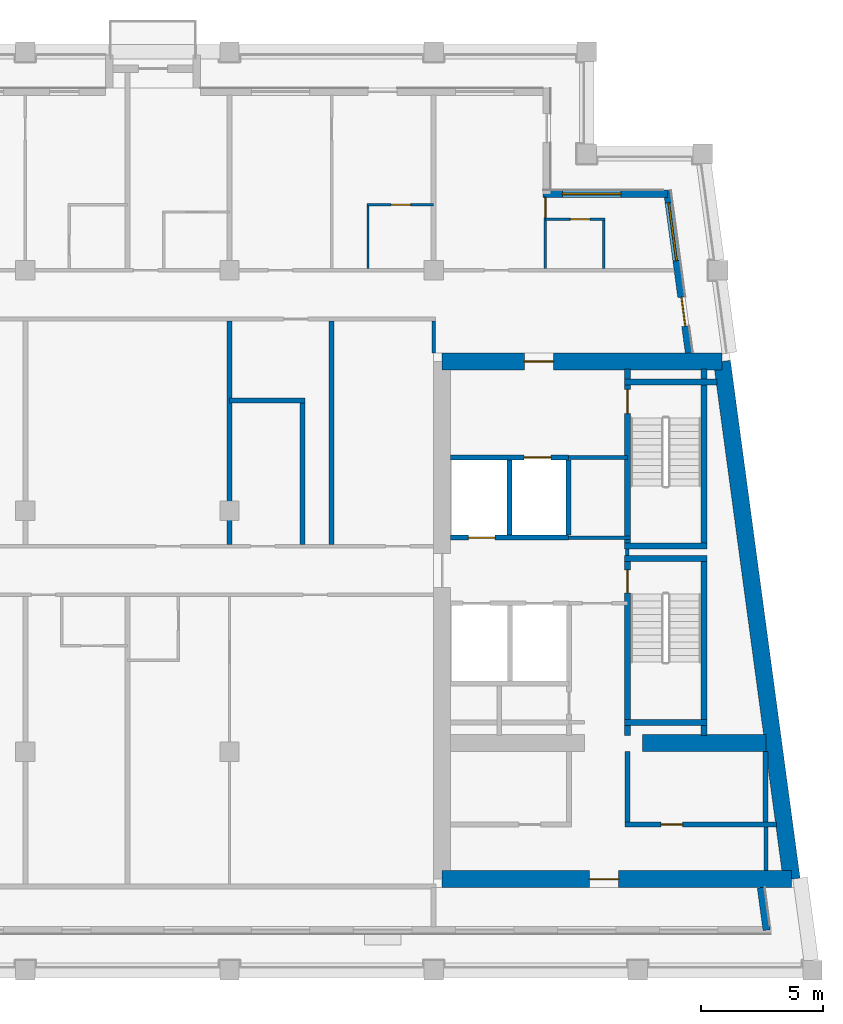
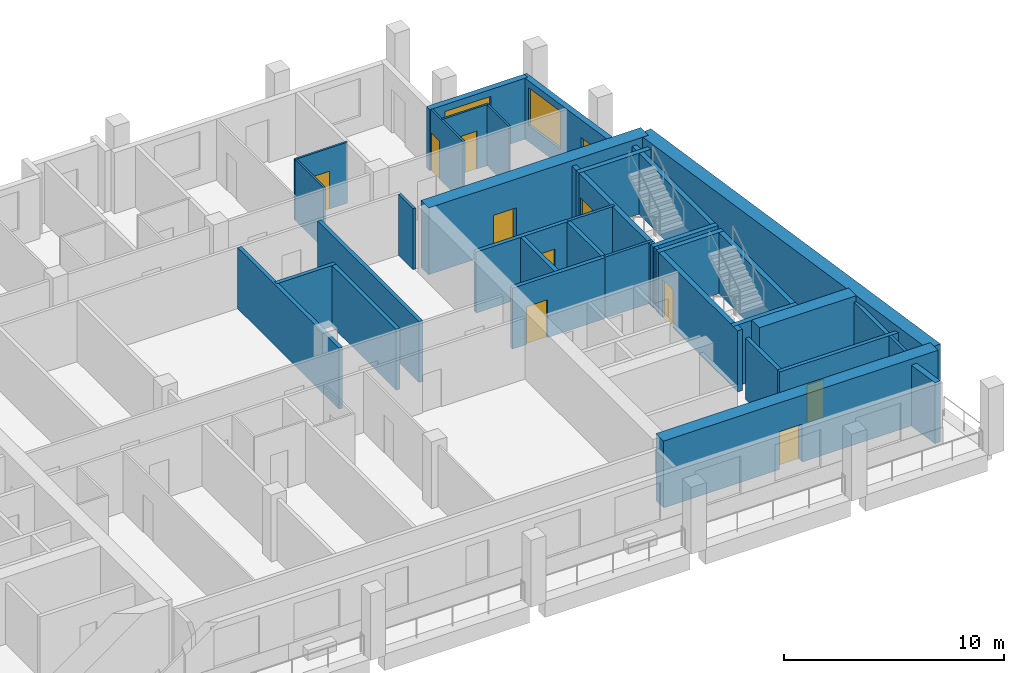
# One storey, part 5 of 13: 36 walls, 11 doors, 2 windows, 13 openings.
"""IFC4 building model written with IfcOpenShell, lengths in metres."""

from ifc_helpers import new_model, si_unit, direction, frame, frame_2d, origin, place, context, subcontext, project, spatial, rectangle, extrude, material, layer, layer_set, type_object, element, fill, save


model = new_model("IFC4")

# Units and contexts
model_context = context("Model", 3, precision=1e-05, world=origin(), true_north=direction((0.0, 1.0)))
body_context = subcontext(model_context, "Body", "Model", "MODEL_VIEW")
ifc_project = project(units=[si_unit("LENGTHUNIT", "METRE"), si_unit("AREAUNIT", "SQUARE_METRE"), si_unit("VOLUMEUNIT", "CUBIC_METRE"), si_unit("PLANEANGLEUNIT", "RADIAN"), si_unit("MASSUNIT", "GRAM", prefix="KILO")], contexts=[model_context])

# Site, building, storey
site_placement = place(None, origin())
site = spatial("IfcSite", under=ifc_project, at=site_placement, CompositionType="ELEMENT")
building_placement = place(site_placement, origin())
building = spatial("IfcBuilding", under=site, at=building_placement, Name="Candeia Pilgrim Tower and Theatre", CompositionType="ELEMENT")
storey_placement = place(building_placement, frame((0.0, 0.0, 262.699951171875)))
storey = spatial("IfcBuildingStorey", under=building, at=storey_placement, Name="L63", CompositionType="ELEMENT", Elevation=262.699951171875)

# Wall, opening, door
ifc_material_1 = material(Name="Concrete C40/50", Category="concrete")
ifc_layer_1 = layer(ifc_material_1, 0.699951171875)
ifc_layer_set_1 = layer_set([ifc_layer_1], Name="Core wall 700 C40/50")
wall_type_1 = type_object("IfcWallType", Name="Core wall 700 C40/50", PredefinedType="SHEAR", material=ifc_layer_set_1)
wall_1_placement = place(storey_placement, frame((126.35009765625, 132.050048828125, 0.0), z_axis=(0.0, 0.0, 1.0), x_axis=(1.0, 0.0, 0.0)))
wall_1 = element("IfcWall", 1, at=wall_1_placement, inside=storey, type_object=wall_type_1, Name="Core wall E1", PredefinedType="SHEAR", context=body_context, shape_type="SweptSolid", body=[
    extrude(rectangle(XDim=11.51318359375, YDim=0.699951171875, at=frame_2d((5.756591796875, 0.0))), origin(), (0.0, 0.0, 1.0), 3.699951171875),
])
opening_1_placement = place(wall_1_placement, frame((3.386474609375, 0.0, 0.0)))
opening_1 = element("IfcOpeningElement", 2, at=opening_1_placement, cuts=wall_1, Name="Opening L63-D045", PredefinedType="OPENING", context=body_context, shape_type="SweptSolid", body=[
    extrude(rectangle(XDim=1.199951171875, YDim=2.10009765625, at=frame_2d((0.60009765625, 1.050048828125))), frame((0.0, 0.35986328125, 0.0), z_axis=(0.0, -1.0, 0.0), x_axis=(1.0, 0.0, 0.0)), (0.0, 0.0, 1.0), 0.719970703125),
])
ifc_material_2 = material(Name="Steel fire door set", Category="steel")
door_type_1 = type_object("IfcDoorType", Name="D-1200-FD60", OperationType="NOTDEFINED", PredefinedType="DOOR", material=ifc_material_2)
door_1_placement = place(opening_1_placement, origin())
door_1 = element("IfcDoor", 3, at=door_1_placement, inside=storey, type_object=door_type_1, Name="Door L63-D045", OperationType="SINGLE_SWING_RIGHT", OverallHeight=2.10009765625, OverallWidth=1.199951171875, PredefinedType="DOOR", context=body_context, shape_type="SweptSolid", body=[
    extrude(rectangle(XDim=1.199951171875, YDim=2.10009765625, at=frame_2d((0.60009765625, 1.050048828125))), frame((0.0, 0.02490234375, 0.0), z_axis=(0.0, -1.0, 0.0), x_axis=(1.0, 0.0, 0.0)), (0.0, 0.0, 1.0), 0.050048828125),
])
fill(opening_1, door_1)

# Wall
wall_2_placement = place(storey_placement, frame((137.86328125, 132.050048828125, 0.0), z_axis=(0.0, 0.0, 1.0), x_axis=(0.133406218907, -0.991061441464, 0.0)))
element("IfcWall", 4, at=wall_2_placement, inside=storey, type_object=wall_type_1, Name="Core wall E2", PredefinedType="SHEAR", context=body_context, shape_type="SweptSolid", body=[
    extrude(rectangle(XDim=21.4921875, YDim=0.699951171875, at=frame_2d((10.74609375, 0.0))), origin(), (0.0, 0.0, 1.0), 3.699951171875),
])

# Wall, opening, door
wall_3_placement = place(storey_placement, frame((140.73046875, 110.75, 0.0), z_axis=(0.0, 0.0, 1.0), x_axis=(-1.0, 0.0, 0.0)))
wall_3 = element("IfcWall", 5, at=wall_3_placement, inside=storey, type_object=wall_type_1, Name="Core wall E3", PredefinedType="SHEAR", context=body_context, shape_type="SweptSolid", body=[
    extrude(rectangle(XDim=14.38037109375, YDim=0.699951171875, at=frame_2d((7.190185546875, 0.0))), origin(), (0.0, 0.0, 1.0), 3.699951171875),
])
opening_2_placement = place(wall_3_placement, frame((7.1201171875, 0.0, 0.0)))
opening_2 = element("IfcOpeningElement", 6, at=opening_2_placement, cuts=wall_3, Name="Opening L63-D042", PredefinedType="OPENING", context=body_context, shape_type="SweptSolid", body=[
    extrude(rectangle(XDim=1.199951171875, YDim=2.10009765625, at=frame_2d((0.60009765625, 1.050048828125))), frame((0.0, 0.35986328125, 0.0), z_axis=(0.0, -1.0, 0.0), x_axis=(1.0, 0.0, 0.0)), (0.0, 0.0, 1.0), 0.719970703125),
])
door_2_placement = place(opening_2_placement, origin())
door_2 = element("IfcDoor", 7, at=door_2_placement, inside=storey, type_object=door_type_1, Name="Door L63-D042", OperationType="SINGLE_SWING_LEFT", OverallHeight=2.10009765625, OverallWidth=1.199951171875, PredefinedType="DOOR", context=body_context, shape_type="SweptSolid", body=[
    extrude(rectangle(XDim=1.199951171875, YDim=2.10009765625, at=frame_2d((0.60009765625, 1.050048828125))), frame((0.0, 0.02490234375, 0.0), z_axis=(0.0, -1.0, 0.0), x_axis=(1.0, 0.0, 0.0)), (0.0, 0.0, 1.0), 0.050048828125),
])
fill(opening_2, door_2)

# Walls
wall_4_placement = place(storey_placement, frame((134.60009765625, 116.35009765625, 0.0), z_axis=(0.0, 0.0, 1.0), x_axis=(1.0, 0.0, 0.0)))
element("IfcWall", 8, at=wall_4_placement, inside=storey, type_object=wall_type_1, Name="Core wall E6", PredefinedType="SHEAR", context=body_context, shape_type="SweptSolid", body=[
    extrude(rectangle(XDim=5.076904296875, YDim=0.699951171875, at=frame_2d((2.53857421875, 0.0))), origin(), (0.0, 0.0, 1.0), 3.699951171875),
])
ifc_material_3 = material(Name="Ceramic block masonry", Category="masonry")
ifc_layer_2 = layer(ifc_material_3, 0.300048828125)
ifc_layer_set_2 = layer_set([ifc_layer_2], Name="EW1 glazing-line wall 300")
wall_type_2 = type_object("IfcWallType", Name="EW1 glazing-line wall 300", PredefinedType="SOLIDWALL", material=ifc_layer_set_2)
wall_5_placement = place(storey_placement, frame((139.701416015625, 108.64990234375, 0.0), z_axis=(0.0, 0.0, 1.0), x_axis=(-0.133422458344, 0.991059255347, 0.0)))
element("IfcWall", 9, at=wall_5_placement, inside=storey, type_object=wall_type_2, Name="External wall L63-2.0", PredefinedType="SOLIDWALL", context=body_context, shape_type="SweptSolid", body=[
    extrude(rectangle(XDim=1.765869140625, YDim=0.300048828125, at=frame_2d((0.8828125, 0.0))), origin(), (0.0, 0.0, 1.0), 3.380126953125),
])

# Wall, openings, door, window
wall_6_placement = place(storey_placement, frame((136.50439453125, 132.39990234375, 0.0), z_axis=(0.0, 0.0, 1.0), x_axis=(-0.133399697462, 0.99106231929, 0.0)))
wall_6 = element("IfcWall", 10, at=wall_6_placement, inside=storey, type_object=wall_type_2, Name="External wall L63-2.1", PredefinedType="SOLIDWALL", context=body_context, shape_type="SweptSolid", body=[
    extrude(rectangle(XDim=6.740478515625, YDim=0.300048828125, at=frame_2d((3.3701171875, 0.0))), origin(), (0.0, 0.0, 1.0), 3.380126953125),
])
opening_3_placement = place(wall_6_placement, frame((1.115234375, 0.0, 0.0)))
opening_3 = element("IfcOpeningElement", 11, at=opening_3_placement, cuts=wall_6, Name="Opening L63-ED599", PredefinedType="OPENING", context=body_context, shape_type="SweptSolid", body=[
    extrude(rectangle(XDim=1.199951171875, YDim=2.39990234375, at=frame_2d((0.60009765625, 1.199951171875))), frame((0.0, 0.16015625, 0.0), z_axis=(0.0, -1.0, 0.0), x_axis=(1.0, 0.0, 0.0)), (0.0, 0.0, 1.0), 0.320068359375),
])
opening_4_placement = place(wall_6_placement, frame((3.83544921875, 0.0, 0.89990234375)))
opening_4 = element("IfcOpeningElement", 12, at=opening_4_placement, cuts=wall_6, Name="Opening W-A", PredefinedType="OPENING", context=body_context, shape_type="SweptSolid", body=[
    extrude(rectangle(XDim=2.39990234375, YDim=2.10009765625, at=frame_2d((1.199951171875, 1.050048828125))), frame((0.0, 0.16015625, 0.0), z_axis=(0.0, -1.0, 0.0), x_axis=(1.0, 0.0, 0.0)), (0.0, 0.0, 1.0), 0.320068359375),
])
ifc_material_4 = material(Name="Aluminium framed glazed door", Category="aluminium")
door_type_2 = type_object("IfcDoorType", Name="Loggia door 1200x2400", OperationType="DOUBLE_DOOR_SINGLE_SWING", PredefinedType="DOOR", material=ifc_material_4)
door_3_placement = place(opening_3_placement, origin())
door_3 = element("IfcDoor", 13, at=door_3_placement, inside=storey, type_object=door_type_2, Name="Loggia door L63-ED599", OperationType="DOUBLE_DOOR_SINGLE_SWING", OverallHeight=2.39990234375, OverallWidth=1.199951171875, PredefinedType="DOOR", context=body_context, shape_type="SweptSolid", body=[
    extrude(rectangle(XDim=1.199951171875, YDim=2.39990234375, at=frame_2d((0.60009765625, 1.199951171875))), frame((0.0, 0.02490234375, 0.0), z_axis=(0.0, -1.0, 0.0), x_axis=(1.0, 0.0, 0.0)), (0.0, 0.0, 1.0), 0.050048828125),
])
fill(opening_3, door_3)
ifc_material_5 = material(Name="Aluminium framed double glazing", Category="aluminium")
window_type = type_object("IfcWindowType", Name="W-A window 2400x2100", PartitioningType="DOUBLE_PANEL_VERTICAL", PredefinedType="WINDOW", material=ifc_material_5)
window_1_placement = place(opening_4_placement, origin())
window_1 = element("IfcWindow", 14, at=window_1_placement, inside=storey, type_object=window_type, Name="Window W-A L63", OverallHeight=2.10009765625, OverallWidth=2.39990234375, PartitioningType="SINGLE_PANEL", PredefinedType="WINDOW", context=body_context, shape_type="SweptSolid", body=[
    extrude(rectangle(XDim=2.39990234375, YDim=2.10009765625, at=frame_2d((1.199951171875, 1.050048828125))), frame((0.0, 0.030029296875, 0.0), z_axis=(0.0, -1.0, 0.0), x_axis=(1.0, 0.0, 0.0)), (0.0, 0.0, 1.0), 0.06005859375),
])
fill(opening_4, window_1)

# Wall, opening, window
wall_7_placement = place(storey_placement, frame((135.62255859375, 138.949951171875, 0.0), z_axis=(0.0, 0.0, 1.0), x_axis=(-1.0, 0.0, 0.0)))
wall_7 = element("IfcWall", 15, at=wall_7_placement, inside=storey, type_object=wall_type_2, Name="External wall L63-3.0", PredefinedType="SOLIDWALL", context=body_context, shape_type="SweptSolid", body=[
    extrude(rectangle(XDim=5.12255859375, YDim=0.300048828125, at=frame_2d((2.561279296875, 0.0))), origin(), (0.0, 0.0, 1.0), 3.380126953125),
])
opening_5_placement = place(wall_7_placement, frame((1.922607421875, 0.0, 0.89990234375)))
opening_5 = element("IfcOpeningElement", 16, at=opening_5_placement, cuts=wall_7, Name="Opening W-A", PredefinedType="OPENING", context=body_context, shape_type="SweptSolid", body=[
    extrude(rectangle(XDim=2.39990234375, YDim=2.10009765625, at=frame_2d((1.199951171875, 1.050048828125))), frame((0.0, 0.16015625, 0.0), z_axis=(0.0, -1.0, 0.0), x_axis=(1.0, 0.0, 0.0)), (0.0, 0.0, 1.0), 0.320068359375),
])
window_2_placement = place(opening_5_placement, origin())
window_2 = element("IfcWindow", 17, at=window_2_placement, inside=storey, type_object=window_type, Name="Window W-A L63", OverallHeight=2.10009765625, OverallWidth=2.39990234375, PartitioningType="SINGLE_PANEL", PredefinedType="WINDOW", context=body_context, shape_type="SweptSolid", body=[
    extrude(rectangle(XDim=2.39990234375, YDim=2.10009765625, at=frame_2d((1.199951171875, 1.050048828125))), frame((0.0, 0.030029296875, 0.0), z_axis=(0.0, -1.0, 0.0), x_axis=(1.0, 0.0, 0.0)), (0.0, 0.0, 1.0), 0.06005859375),
])
fill(opening_5, window_2)

# Wall, opening, door
ifc_material_6 = material(Name="Gypsum board partition on steel studs", Category="steel")
ifc_layer_3 = layer(ifc_material_6, 0.10009765625)
ifc_layer_set_3 = layer_set([ifc_layer_3], Name="PW-100 room partition")
wall_type_3 = type_object("IfcWallType", Name="PW-100 room partition", PredefinedType="PARTITIONING", material=ifc_layer_set_3)
wall_8_placement = place(storey_placement, frame((130.60009765625, 137.89990234375, 0.0), z_axis=(0.0, 0.0, 1.0), x_axis=(1.0, 0.0, 0.0)))
wall_8 = element("IfcWall", 18, at=wall_8_placement, inside=storey, type_object=wall_type_3, Name="Room partition L63-038", PredefinedType="PARTITIONING", context=body_context, shape_type="SweptSolid", body=[
    extrude(rectangle(XDim=2.449951171875, YDim=0.10009765625, at=frame_2d((1.22509765625, 0.0))), origin(), (0.0, 0.0, 1.0), 3.380126953125),
])
opening_6_placement = place(wall_8_placement, frame((1.02490234375, 0.0, 0.0)))
opening_6 = element("IfcOpeningElement", 19, at=opening_6_placement, cuts=wall_8, Name="Opening L63-D034", PredefinedType="OPENING", context=body_context, shape_type="SweptSolid", body=[
    extrude(rectangle(XDim=0.800048828125, YDim=2.10009765625, at=frame_2d((0.39990234375, 1.050048828125))), frame((0.0, 0.06005859375, 0.0), z_axis=(0.0, -1.0, 0.0), x_axis=(1.0, 0.0, 0.0)), (0.0, 0.0, 1.0), 0.1201171875),
])
ifc_material_7 = material(Name="Timber door leaf", Category="wood")
door_type_3 = type_object("IfcDoorType", Name="D-800", OperationType="NOTDEFINED", PredefinedType="DOOR", material=ifc_material_7)
door_4_placement = place(opening_6_placement, origin())
door_4 = element("IfcDoor", 20, at=door_4_placement, inside=storey, type_object=door_type_3, Name="Door L63-D034", OperationType="SINGLE_SWING_LEFT", OverallHeight=2.10009765625, OverallWidth=0.800048828125, PredefinedType="DOOR", context=body_context, shape_type="SweptSolid", body=[
    extrude(rectangle(XDim=0.800048828125, YDim=2.10009765625, at=frame_2d((0.39990234375, 1.050048828125))), frame((0.0, 0.02490234375, 0.0), z_axis=(0.0, -1.0, 0.0), x_axis=(1.0, 0.0, 0.0)), (0.0, 0.0, 1.0), 0.050048828125),
])
fill(opening_6, door_4)

wall_9_placement = place(storey_placement, frame((123.25, 138.5, 0.0), z_axis=(0.0, 0.0, 1.0), x_axis=(1.0, 0.0, 0.0)))
wall_9 = element("IfcWall", 21, at=wall_9_placement, inside=storey, type_object=wall_type_3, Name="Room partition L63-042", PredefinedType="PARTITIONING", context=body_context, shape_type="SweptSolid", body=[
    extrude(rectangle(XDim=2.75, YDim=0.10009765625, at=frame_2d((1.375, 0.0))), origin(), (0.0, 0.0, 1.0), 3.380126953125),
])
opening_7_placement = place(wall_9_placement, frame((1.0, 0.0, 0.0)))
opening_7 = element("IfcOpeningElement", 22, at=opening_7_placement, cuts=wall_9, Name="Opening L63-D031", PredefinedType="OPENING", context=body_context, shape_type="SweptSolid", body=[
    extrude(rectangle(XDim=0.800048828125, YDim=2.10009765625, at=frame_2d((0.39990234375, 1.050048828125))), frame((0.0, 0.06005859375, 0.0), z_axis=(0.0, -1.0, 0.0), x_axis=(1.0, 0.0, 0.0)), (0.0, 0.0, 1.0), 0.1201171875),
])
door_5_placement = place(opening_7_placement, origin())
door_5 = element("IfcDoor", 23, at=door_5_placement, inside=storey, type_object=door_type_3, Name="Door L63-D031", OperationType="SINGLE_SWING_RIGHT", OverallHeight=2.10009765625, OverallWidth=0.800048828125, PredefinedType="DOOR", context=body_context, shape_type="SweptSolid", body=[
    extrude(rectangle(XDim=0.800048828125, YDim=2.10009765625, at=frame_2d((0.39990234375, 1.050048828125))), frame((0.0, 0.02490234375, 0.0), z_axis=(0.0, -1.0, 0.0), x_axis=(1.0, 0.0, 0.0)), (0.0, 0.0, 1.0), 0.050048828125),
])
fill(opening_7, door_5)

# Wall
wall_10_placement = place(storey_placement, frame((123.300048828125, 135.875, 0.0), z_axis=(0.0, 0.0, 1.0), x_axis=(0.0, 1.0, 0.0)))
element("IfcWall", 24, at=wall_10_placement, inside=storey, type_object=wall_type_3, Name="Room partition L63-080", PredefinedType="PARTITIONING", context=body_context, shape_type="SweptSolid", body=[
    extrude(rectangle(XDim=2.574951171875, YDim=0.10009765625, at=frame_2d((1.28759765625, 0.0))), origin(), (0.0, 0.0, 1.0), 3.380126953125),
])

# Wall, opening, door
wall_11_placement = place(storey_placement, frame((130.60009765625, 135.875, 0.0), z_axis=(0.0, 0.0, 1.0), x_axis=(0.0, 1.0, 0.0)))
wall_11 = element("IfcWall", 25, at=wall_11_placement, inside=storey, type_object=wall_type_3, Name="Room partition L63-087", PredefinedType="PARTITIONING", context=body_context, shape_type="SweptSolid", body=[
    extrude(rectangle(XDim=2.93505859375, YDim=0.10009765625, at=frame_2d((1.467529296875, 0.0))), origin(), (0.0, 0.0, 1.0), 3.380126953125),
])
opening_8_placement = place(wall_11_placement, frame((2.10498046875, 0.0, 0.0)))
opening_8 = element("IfcOpeningElement", 26, at=opening_8_placement, cuts=wall_11, Name="Opening L63-D033", PredefinedType="OPENING", context=body_context, shape_type="SweptSolid", body=[
    extrude(rectangle(XDim=0.800048828125, YDim=2.10009765625, at=frame_2d((0.39990234375, 1.050048828125))), frame((0.0, 0.06005859375, 0.0), z_axis=(0.0, -1.0, 0.0), x_axis=(1.0, 0.0, 0.0)), (0.0, 0.0, 1.0), 0.1201171875),
])
door_6_placement = place(opening_8_placement, origin())
door_6 = element("IfcDoor", 27, at=door_6_placement, inside=storey, type_object=door_type_3, Name="Door L63-D033", OperationType="SINGLE_SWING_RIGHT", OverallHeight=2.10009765625, OverallWidth=0.800048828125, PredefinedType="DOOR", context=body_context, shape_type="SweptSolid", body=[
    extrude(rectangle(XDim=0.800048828125, YDim=2.10009765625, at=frame_2d((0.39990234375, 1.050048828125))), frame((0.0, 0.02490234375, 0.0), z_axis=(0.0, -1.0, 0.0), x_axis=(1.0, 0.0, 0.0)), (0.0, 0.0, 1.0), 0.050048828125),
])
fill(opening_8, door_6)

# Walls
wall_12_placement = place(storey_placement, frame((133.0, 135.875, 0.0), z_axis=(0.0, 0.0, 1.0), x_axis=(0.0, 1.0, 0.0)))
element("IfcWall", 28, at=wall_12_placement, inside=storey, type_object=wall_type_3, Name="Room partition L63-091", PredefinedType="PARTITIONING", context=body_context, shape_type="SweptSolid", body=[
    extrude(rectangle(XDim=1.97509765625, YDim=0.10009765625, at=frame_2d((0.987548828125, 0.0))), origin(), (0.0, 0.0, 1.0), 3.380126953125),
])
ifc_layer_4 = layer(ifc_material_6, 0.14990234375)
ifc_layer_set_4 = layer_set([ifc_layer_4], Name="PW-150 lobby wall")
wall_type_4 = type_object("IfcWallType", Name="PW-150 lobby wall", PredefinedType="PARTITIONING", material=ifc_layer_set_4)
wall_13_placement = place(storey_placement, frame((131.548583984375, 124.800048828125, 0.0), z_axis=(0.0, 0.0, 1.0), x_axis=(1.0, 0.0, 0.0)))
element("IfcWall", 29, at=wall_13_placement, inside=storey, type_object=wall_type_4, Name="Lobby wall L63-029", PredefinedType="PARTITIONING", context=body_context, shape_type="SweptSolid", body=[
    extrude(rectangle(XDim=2.54931640625, YDim=0.14990234375, at=frame_2d((1.274658203125, 0.0))), origin(), (0.0, 0.0, 1.0), 3.380126953125),
])
wall_14_placement = place(storey_placement, frame((131.548583984375, 128.10009765625, 0.0), z_axis=(0.0, 0.0, 1.0), x_axis=(1.0, 0.0, 0.0)))
element("IfcWall", 30, at=wall_14_placement, inside=storey, type_object=wall_type_4, Name="Lobby wall L63-032", PredefinedType="PARTITIONING", context=body_context, shape_type="SweptSolid", body=[
    extrude(rectangle(XDim=2.42431640625, YDim=0.14990234375, at=frame_2d((1.212158203125, 0.0))), origin(), (0.0, 0.0, 1.0), 3.380126953125),
])
wall_15_placement = place(storey_placement, frame((133.972900390625, 124.074951171875, 0.0), z_axis=(0.0, 0.0, 1.0), x_axis=(0.0, 1.0, 0.0)))
element("IfcWall", 31, at=wall_15_placement, inside=storey, type_object=wall_type_4, Name="Lobby wall L63-093", PredefinedType="PARTITIONING", context=body_context, shape_type="SweptSolid", body=[
    extrude(rectangle(XDim=0.25, YDim=0.14990234375, at=frame_2d((0.125, 0.0))), origin(), (0.0, 0.0, 1.0), 3.380126953125),
])
wall_16_placement = place(storey_placement, frame((139.673095703125, 111.10009765625, 0.0), z_axis=(0.0, 0.0, 1.0), x_axis=(0.0, 1.0, 0.0)))
element("IfcWall", 32, at=wall_16_placement, inside=storey, type_object=wall_type_4, Name="Lobby wall L63-099", PredefinedType="PARTITIONING", context=body_context, shape_type="SweptSolid", body=[
    extrude(rectangle(XDim=1.7998046875, YDim=0.14990234375, at=frame_2d((0.89990234375, 0.0))), origin(), (0.0, 0.0, 1.0), 3.380126953125),
])
ifc_layer_5 = layer(ifc_material_6, 0.14990234375)
ifc_layer_set_5 = layer_set([ifc_layer_5], Name="PW-150 unit wall")
wall_type_5 = type_object("IfcWallType", Name="PW-150 unit wall", PredefinedType="PARTITIONING", material=ifc_layer_set_5)
wall_17_placement = place(storey_placement, frame((126.0, 132.39990234375, 0.0), z_axis=(0.0, 0.0, 1.0), x_axis=(0.0, 1.0, 0.0)))
element("IfcWall", 33, at=wall_17_placement, inside=storey, type_object=wall_type_5, Name="Unit wall L63-083", PredefinedType="PARTITIONING", context=body_context, shape_type="SweptSolid", body=[
    extrude(rectangle(XDim=1.3251953125, YDim=0.14990234375, at=frame_2d((0.66259765625, 0.0))), origin(), (0.0, 0.0, 1.0), 3.380126953125),
])
ifc_layer_6 = layer(ifc_material_6, 0.199951171875)
ifc_layer_set_6 = layer_set([ifc_layer_6], Name="PW-200 party wall")
wall_type_6 = type_object("IfcWallType", Name="PW-200 party wall", PredefinedType="PARTITIONING", material=ifc_layer_set_6)
wall_18_placement = place(storey_placement, frame((117.60009765625, 130.449951171875, 0.0), z_axis=(0.0, 0.0, 1.0), x_axis=(1.0, 0.0, 0.0)))
element("IfcWall", 34, at=wall_18_placement, inside=storey, type_object=wall_type_6, Name="Party wall L63-033", PredefinedType="PARTITIONING", context=body_context, shape_type="SweptSolid", body=[
    extrude(rectangle(XDim=3.099853515625, YDim=0.199951171875, at=frame_2d((1.5498046875, 0.0))), origin(), (0.0, 0.0, 1.0), 3.380126953125),
])
wall_19_placement = place(storey_placement, frame((117.60009765625, 124.52490234375, 0.0), z_axis=(0.0, 0.0, 1.0), x_axis=(0.0, 1.0, 0.0)))
element("IfcWall", 35, at=wall_19_placement, inside=storey, type_object=wall_type_6, Name="Party wall L63-075", PredefinedType="PARTITIONING", context=body_context, shape_type="SweptSolid", body=[
    extrude(rectangle(XDim=9.2001953125, YDim=0.199951171875, at=frame_2d((4.60009765625, 0.0))), origin(), (0.0, 0.0, 1.0), 3.380126953125),
])
wall_20_placement = place(storey_placement, frame((120.60009765625, 124.52490234375, 0.0), z_axis=(0.0, 0.0, 1.0), x_axis=(0.0, 1.0, 0.0)))
element("IfcWall", 36, at=wall_20_placement, inside=storey, type_object=wall_type_6, Name="Party wall L63-077", PredefinedType="PARTITIONING", context=body_context, shape_type="SweptSolid", body=[
    extrude(rectangle(XDim=5.8251953125, YDim=0.199951171875, at=frame_2d((2.91259765625, 0.0))), origin(), (0.0, 0.0, 1.0), 3.380126953125),
])
wall_21_placement = place(storey_placement, frame((121.800048828125, 124.52490234375, 0.0), z_axis=(0.0, 0.0, 1.0), x_axis=(0.0, 1.0, 0.0)))
element("IfcWall", 37, at=wall_21_placement, inside=storey, type_object=wall_type_6, Name="Party wall L63-079", PredefinedType="PARTITIONING", context=body_context, shape_type="SweptSolid", body=[
    extrude(rectangle(XDim=9.2001953125, YDim=0.199951171875, at=frame_2d((4.60009765625, 0.0))), origin(), (0.0, 0.0, 1.0), 3.380126953125),
])

# Wall, opening, door
ifc_layer_7 = layer(ifc_material_1, 0.199951171875)
ifc_layer_set_7 = layer_set([ifc_layer_7], Name="SW-200 shaft wall")
wall_type_7 = type_object("IfcWallType", Name="SW-200 shaft wall", PredefinedType="PARTITIONING", material=ifc_layer_set_7)
wall_22_placement = place(storey_placement, frame((133.873046875, 113.0, 0.0), z_axis=(0.0, 0.0, 1.0), x_axis=(1.0, 0.0, 0.0)))
wall_22 = element("IfcWall", 38, at=wall_22_placement, inside=storey, type_object=wall_type_7, Name="Shaft wall L63-005", PredefinedType="PARTITIONING", context=body_context, shape_type="SweptSolid", body=[
    extrude(rectangle(XDim=6.2314453125, YDim=0.199951171875, at=frame_2d((3.11572265625, 0.0))), origin(), (0.0, 0.0, 1.0), 3.380126953125),
])
opening_9_placement = place(wall_22_placement, frame((1.47509765625, 0.0, 0.0)))
opening_9 = element("IfcOpeningElement", 39, at=opening_9_placement, cuts=wall_22, Name="Opening L63-D011", PredefinedType="OPENING", context=body_context, shape_type="SweptSolid", body=[
    extrude(rectangle(XDim=0.89990234375, YDim=2.10009765625, at=frame_2d((0.449951171875, 1.050048828125))), frame((0.0, 0.10986328125, 0.0), z_axis=(0.0, -1.0, 0.0), x_axis=(1.0, 0.0, 0.0)), (0.0, 0.0, 1.0), 0.219970703125),
])
door_type_4 = type_object("IfcDoorType", Name="D-900-FD60", OperationType="NOTDEFINED", PredefinedType="DOOR", material=ifc_material_2)
door_7_placement = place(opening_9_placement, origin())
door_7 = element("IfcDoor", 40, at=door_7_placement, inside=storey, type_object=door_type_4, Name="Door L63-D011", OperationType="SINGLE_SWING_RIGHT", OverallHeight=2.10009765625, OverallWidth=0.89990234375, PredefinedType="DOOR", context=body_context, shape_type="SweptSolid", body=[
    extrude(rectangle(XDim=0.89990234375, YDim=2.10009765625, at=frame_2d((0.449951171875, 1.050048828125))), frame((0.0, 0.02490234375, 0.0), z_axis=(0.0, -1.0, 0.0), x_axis=(1.0, 0.0, 0.0)), (0.0, 0.0, 1.0), 0.050048828125),
])
fill(opening_9, door_7)

wall_23_placement = place(storey_placement, frame((126.699951171875, 124.800048828125, 0.0), z_axis=(0.0, 0.0, 1.0), x_axis=(1.0, 0.0, 0.0)))
wall_23 = element("IfcWall", 41, at=wall_23_placement, inside=storey, type_object=wall_type_7, Name="Shaft wall L63-028", PredefinedType="PARTITIONING", context=body_context, shape_type="SweptSolid", body=[
    extrude(rectangle(XDim=4.8486328125, YDim=0.199951171875, at=frame_2d((2.42431640625, 0.0))), origin(), (0.0, 0.0, 1.0), 3.380126953125),
])
opening_10_placement = place(wall_23_placement, frame((0.72509765625, 0.0, 0.0)))
opening_10 = element("IfcOpeningElement", 42, at=opening_10_placement, cuts=wall_23, Name="Opening L63-LD08", PredefinedType="OPENING", context=body_context, shape_type="SweptSolid", body=[
    extrude(rectangle(XDim=1.10009765625, YDim=2.10009765625, at=frame_2d((0.550048828125, 1.050048828125))), frame((0.0, 0.10986328125, 0.0), z_axis=(0.0, -1.0, 0.0), x_axis=(1.0, 0.0, 0.0)), (0.0, 0.0, 1.0), 0.219970703125),
])
ifc_material_8 = material(Name="Glazed aluminium landing door", Category="aluminium")
door_type_5 = type_object("IfcDoorType", Name="LD-1100-EI120", OperationType="SLIDING_TO_LEFT", PredefinedType="DOOR", material=ifc_material_8)
door_8_placement = place(opening_10_placement, origin())
door_8 = element("IfcDoor", 43, at=door_8_placement, inside=storey, type_object=door_type_5, Name="Landing door 08 L63", OperationType="SLIDING_TO_LEFT", OverallHeight=2.10009765625, OverallWidth=1.10009765625, PredefinedType="DOOR", context=body_context, shape_type="SweptSolid", body=[
    extrude(rectangle(XDim=1.10009765625, YDim=2.10009765625, at=frame_2d((0.550048828125, 1.050048828125))), frame((0.0, 0.02490234375, 0.0), z_axis=(0.0, -1.0, 0.0), x_axis=(1.0, 0.0, 0.0)), (0.0, 0.0, 1.0), 0.050048828125),
])
fill(opening_10, door_8)

wall_24_placement = place(storey_placement, frame((126.699951171875, 128.10009765625, 0.0), z_axis=(0.0, 0.0, 1.0), x_axis=(1.0, 0.0, 0.0)))
wall_24 = element("IfcWall", 44, at=wall_24_placement, inside=storey, type_object=wall_type_7, Name="Shaft wall L63-031", PredefinedType="PARTITIONING", context=body_context, shape_type="SweptSolid", body=[
    extrude(rectangle(XDim=4.8486328125, YDim=0.199951171875, at=frame_2d((2.42431640625, 0.0))), origin(), (0.0, 0.0, 1.0), 3.380126953125),
])
opening_11_placement = place(wall_24_placement, frame((3.02392578125, 0.0, 0.0)))
opening_11 = element("IfcOpeningElement", 45, at=opening_11_placement, cuts=wall_24, Name="Opening L63-LD07", PredefinedType="OPENING", context=body_context, shape_type="SweptSolid", body=[
    extrude(rectangle(XDim=1.10009765625, YDim=2.10009765625, at=frame_2d((0.550048828125, 1.050048828125))), frame((0.0, 0.10986328125, 0.0), z_axis=(0.0, -1.0, 0.0), x_axis=(1.0, 0.0, 0.0)), (0.0, 0.0, 1.0), 0.219970703125),
])
door_9_placement = place(opening_11_placement, origin())
door_9 = element("IfcDoor", 46, at=door_9_placement, inside=storey, type_object=door_type_5, Name="Landing door 07 L63", OperationType="SLIDING_TO_LEFT", OverallHeight=2.10009765625, OverallWidth=1.10009765625, PredefinedType="DOOR", context=body_context, shape_type="SweptSolid", body=[
    extrude(rectangle(XDim=1.10009765625, YDim=2.10009765625, at=frame_2d((0.550048828125, 1.050048828125))), frame((0.0, 0.02490234375, 0.0), z_axis=(0.0, -1.0, 0.0), x_axis=(1.0, 0.0, 0.0)), (0.0, 0.0, 1.0), 0.050048828125),
])
fill(opening_11, door_9)

# Walls
for number, where, z_axis, x_axis, name in (
    (47, (129.124267578125, 124.89990234375, 0.0), (0.0, 0.0, 1.0), (0.0, 1.0, 0.0), "Shaft wall L63-085"),
    (48, (131.548583984375, 124.89990234375, 0.0), (0.0, 0.0, 1.0), (0.0, 1.0, 0.0), "Shaft wall L63-088"),
):
    element("IfcWall", number, at=place(storey_placement, frame(where, z_axis=z_axis, x_axis=x_axis)), inside=storey, type_object=wall_type_7, Name=name, PredefinedType="PARTITIONING", context=body_context, shape_type="SweptSolid", body=[
        extrude(rectangle(XDim=3.10009765625, YDim=0.199951171875, at=frame_2d((1.550048828125, 0.0))), origin(), (0.0, 0.0, 1.0), 3.380126953125),
    ])
for number, where, z_axis, x_axis, name in (
    (49, (133.972900390625, 113.10009765625, 0.0), (0.0, 0.0, 1.0), (0.0, 1.0, 0.0), "Shaft wall L63-092"),
    (50, (139.651611328125, 113.10009765625, 0.0), (0.0, 0.0, 1.0), (0.0, 1.0, 0.0), "Shaft wall L63-098"),
):
    element("IfcWall", number, at=place(storey_placement, frame(where, z_axis=z_axis, x_axis=x_axis)), inside=storey, type_object=wall_type_7, Name=name, PredefinedType="PARTITIONING", context=body_context, shape_type="SweptSolid", body=[
        extrude(rectangle(XDim=2.89990234375, YDim=0.199951171875, at=frame_2d((1.449951171875, 0.0))), origin(), (0.0, 0.0, 1.0), 3.380126953125),
    ])
ifc_layer_8 = layer(ifc_material_1, 0.25)
ifc_layer_set_8 = layer_set([ifc_layer_8], Name="SW-250 stair wall")
wall_type_8 = type_object("IfcWallType", Name="SW-250 stair wall", PredefinedType="PARTITIONING", material=ifc_layer_set_8)
for number, where, z_axis, x_axis, name in (
    (51, (133.847900390625, 117.199951171875, 0.0), (0.0, 0.0, 1.0), (1.0, 0.0, 0.0), "Stair wall L63-011"),
    (52, (133.847900390625, 123.949951171875, 0.0), (0.0, 0.0, 1.0), (1.0, 0.0, 0.0), "Stair wall L63-023"),
    (53, (133.847900390625, 124.449951171875, 0.0), (0.0, 0.0, 1.0), (1.0, 0.0, 0.0), "Stair wall L63-025"),
):
    element("IfcWall", number, at=place(storey_placement, frame(where, z_axis=z_axis, x_axis=x_axis)), inside=storey, type_object=wall_type_8, Name=name, PredefinedType="PARTITIONING", context=body_context, shape_type="SweptSolid", body=[
        extrude(rectangle(XDim=3.400146484375, YDim=0.25, at=frame_2d((1.7001953125, 0.0))), origin(), (0.0, 0.0, 1.0), 3.380126953125),
    ])
wall_25_placement = place(storey_placement, frame((133.847900390625, 131.199951171875, 0.0), z_axis=(0.0, 0.0, 1.0), x_axis=(1.0, 0.0, 0.0)))
element("IfcWall", 54, at=wall_25_placement, inside=storey, type_object=wall_type_8, Name="Stair wall L63-035", PredefinedType="PARTITIONING", context=body_context, shape_type="SweptSolid", body=[
    extrude(rectangle(XDim=3.806640625, YDim=0.25, at=frame_2d((1.9033203125, 0.0))), origin(), (0.0, 0.0, 1.0), 3.380126953125),
])

# Wall, opening, door
wall_26_placement = place(storey_placement, frame((133.972900390625, 116.669921875, 0.0), z_axis=(0.0, 0.0, 1.0), x_axis=(0.0, 1.0, 0.0)))
wall_26 = element("IfcWall", 55, at=wall_26_placement, inside=storey, type_object=wall_type_8, Name="Stair wall L63-094", PredefinedType="PARTITIONING", context=body_context, shape_type="SweptSolid", body=[
    extrude(rectangle(XDim=7.155029296875, YDim=0.25, at=frame_2d((3.57763671875, 0.0))), origin(), (0.0, 0.0, 1.0), 3.380126953125),
])
opening_12_placement = place(wall_26_placement, frame((5.85498046875, 0.0, 0.0)))
opening_12 = element("IfcOpeningElement", 56, at=opening_12_placement, cuts=wall_26, Name="Opening L63-D008", PredefinedType="OPENING", context=body_context, shape_type="SweptSolid", body=[
    extrude(rectangle(XDim=0.949951171875, YDim=2.10009765625, at=frame_2d((0.47509765625, 1.050048828125))), frame((0.0, 0.135009765625, 0.0), z_axis=(0.0, -1.0, 0.0), x_axis=(1.0, 0.0, 0.0)), (0.0, 0.0, 1.0), 0.27001953125),
])
door_type_6 = type_object("IfcDoorType", Name="D-950-FD60", OperationType="NOTDEFINED", PredefinedType="DOOR", material=ifc_material_2)
door_10_placement = place(opening_12_placement, origin())
door_10 = element("IfcDoor", 57, at=door_10_placement, inside=storey, type_object=door_type_6, Name="Door L63-D008", OperationType="SINGLE_SWING_LEFT", OverallHeight=2.10009765625, OverallWidth=0.949951171875, PredefinedType="DOOR", context=body_context, shape_type="SweptSolid", body=[
    extrude(rectangle(XDim=0.949951171875, YDim=2.10009765625, at=frame_2d((0.47509765625, 1.050048828125))), frame((0.0, 0.02490234375, 0.0), z_axis=(0.0, -1.0, 0.0), x_axis=(1.0, 0.0, 0.0)), (0.0, 0.0, 1.0), 0.050048828125),
])
fill(opening_12, door_10)

wall_27_placement = place(storey_placement, frame((133.972900390625, 124.574951171875, 0.0), z_axis=(0.0, 0.0, 1.0), x_axis=(0.0, 1.0, 0.0)))
wall_27 = element("IfcWall", 58, at=wall_27_placement, inside=storey, type_object=wall_type_8, Name="Stair wall L63-095", PredefinedType="PARTITIONING", context=body_context, shape_type="SweptSolid", body=[
    extrude(rectangle(XDim=7.155029296875, YDim=0.25, at=frame_2d((3.57763671875, 0.0))), origin(), (0.0, 0.0, 1.0), 3.380126953125),
])
opening_13_placement = place(wall_27_placement, frame((5.324951171875, 0.0, 0.0)))
opening_13 = element("IfcOpeningElement", 59, at=opening_13_placement, cuts=wall_27, Name="Opening L63-D009", PredefinedType="OPENING", context=body_context, shape_type="SweptSolid", body=[
    extrude(rectangle(XDim=1.0, YDim=2.10009765625, at=frame_2d((0.5, 1.050048828125))), frame((0.0, 0.135009765625, 0.0), z_axis=(0.0, -1.0, 0.0), x_axis=(1.0, 0.0, 0.0)), (0.0, 0.0, 1.0), 0.27001953125),
])
door_type_7 = type_object("IfcDoorType", Name="D-1000-FD60", OperationType="NOTDEFINED", PredefinedType="DOOR", material=ifc_material_2)
door_11_placement = place(opening_13_placement, origin())
door_11 = element("IfcDoor", 60, at=door_11_placement, inside=storey, type_object=door_type_7, Name="Door L63-D009", OperationType="SINGLE_SWING_RIGHT", OverallHeight=2.10009765625, OverallWidth=1.0, PredefinedType="DOOR", context=body_context, shape_type="SweptSolid", body=[
    extrude(rectangle(XDim=1.0, YDim=2.10009765625, at=frame_2d((0.5, 1.050048828125))), frame((0.0, 0.02490234375, 0.0), z_axis=(0.0, -1.0, 0.0), x_axis=(1.0, 0.0, 0.0)), (0.0, 0.0, 1.0), 0.050048828125),
])
fill(opening_13, door_11)

# Walls
for number, where, z_axis, x_axis, name in (
    (61, (137.123046875, 116.669921875, 0.0), (0.0, 0.0, 1.0), (0.0, 1.0, 0.0), "Stair wall L63-096"),
    (62, (137.123046875, 124.574951171875, 0.0), (0.0, 0.0, 1.0), (0.0, 1.0, 0.0), "Stair wall L63-097"),
):
    element("IfcWall", number, at=place(storey_placement, frame(where, z_axis=z_axis, x_axis=x_axis)), inside=storey, type_object=wall_type_8, Name=name, PredefinedType="PARTITIONING", context=body_context, shape_type="SweptSolid", body=[
        extrude(rectangle(XDim=7.155029296875, YDim=0.25, at=frame_2d((3.57763671875, 0.0))), origin(), (0.0, 0.0, 1.0), 3.380126953125),
    ])

save(model, "model.ifc")
